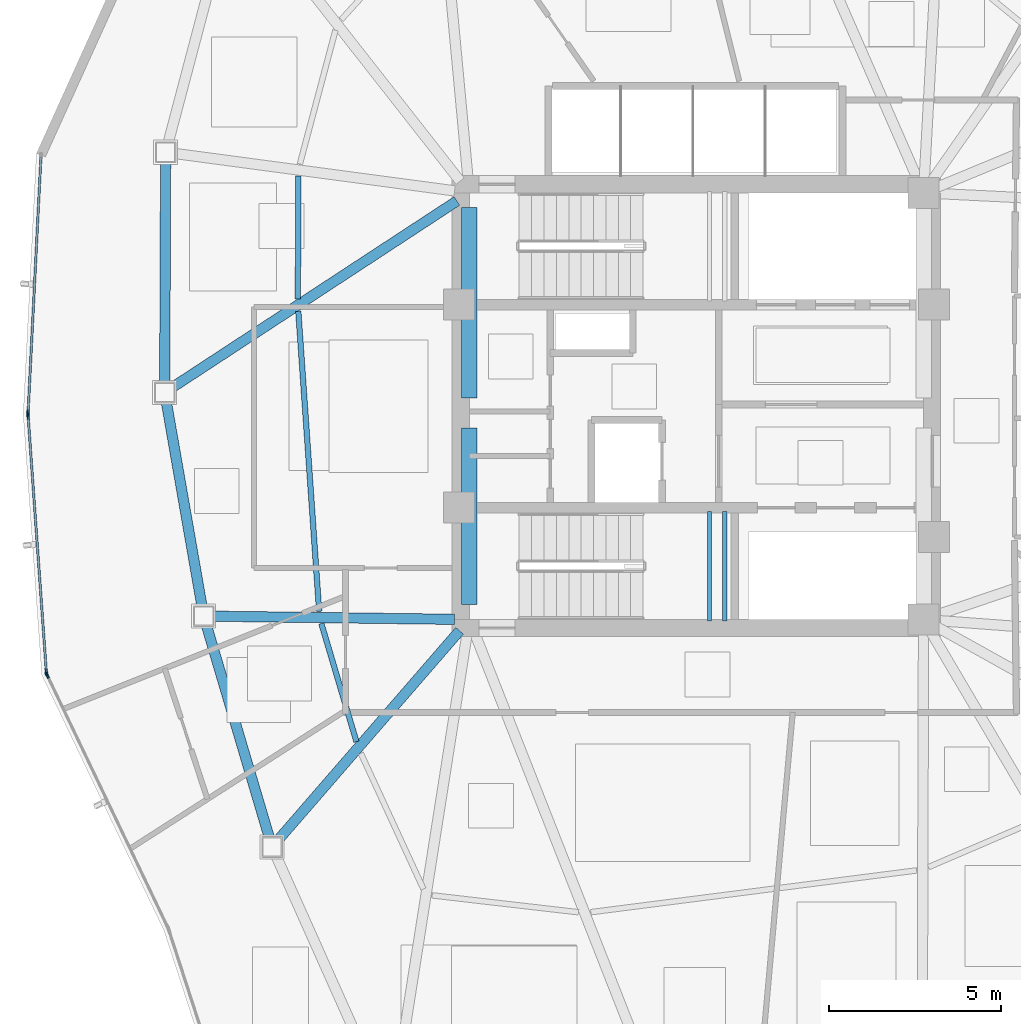
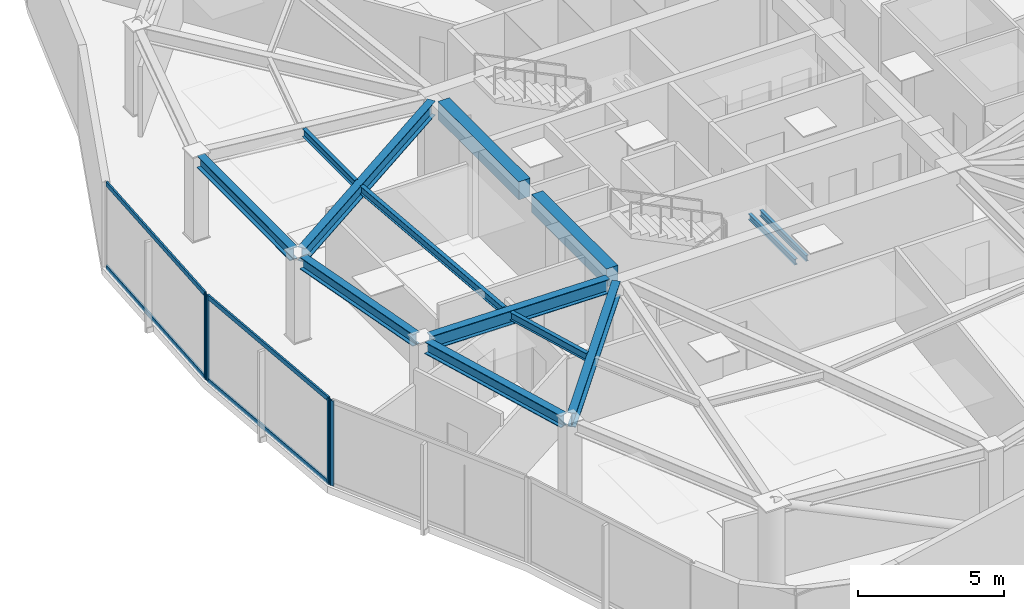
# One storey, part 4 of 17: 13 beams, 8 members, 3 elements without a shape of their own.
"""IFC4 building model written with IfcOpenShell, lengths in metres."""

import ifcopenshell
import ifcopenshell.guid

model = None  # the IFC model being written
_history = None  # IfcOwnerHistory: only IFC2X3 demands one
_inside = {}  # id of a spatial element -> (the spatial element, [elements in it])
_under = {}  # id of a project, library or spatial element -> (it, [spatial elements below it])
_declared = {}  # id of a project -> (the project, [libraries it declares])
_typed = {}  # id of a type object -> (the type object, [elements of that type])
_made_of = {}  # id of a material, layer set ... -> (it, [elements and type objects made of it])


def new_model(schema):
    """Start an empty IFC model of exactly this schema.

    Asked for "IFC4X3", IfcOpenShell would pick the latest addendum, in which some entities
    have other attributes; the version numbers below select the first issue.
    IFC2X3 requires an IfcOwnerHistory on every rooted entity: one is made here for all.
    """
    global model, _history
    if schema == "IFC4X3":
        model = ifcopenshell.file(schema_version=(4, 3, 0, 0))
    else:
        model = ifcopenshell.file(schema=schema)
    _inside.clear()
    _under.clear()
    _declared.clear()
    _typed.clear()
    _made_of.clear()
    _history = None
    if model.schema == "IFC2X3":
        org = make("IfcOrganization", Name="unknown")
        user = make(
            "IfcPersonAndOrganization",
            ThePerson=make("IfcPerson", FamilyName="unknown"),
            TheOrganization=org,
        )
        app = make(
            "IfcApplication",
            ApplicationDeveloper=org,
            Version="unknown",
            ApplicationFullName="unknown",
            ApplicationIdentifier="unknown",
        )
        _history = make(
            "IfcOwnerHistory",
            OwningUser=user,
            OwningApplication=app,
            ChangeAction="ADDED",
            CreationDate=0,
        )
    return model


def make(cls, **values):
    """One entity of the class cls with the attributes given. An attribute that is None is left unset."""
    return model.create_entity(
        cls, **{name: value for name, value in values.items() if value is not None}
    )


def rooted(cls, **values):
    """An entity with a GlobalId (a new one), such as an element, a storey or a relation."""
    return make(cls, GlobalId=ifcopenshell.guid.new(), OwnerHistory=_history, **values)


def si_unit(unit_type, name, prefix=None):
    """IfcSIUnit, for example si_unit("LENGTHUNIT", "METRE", prefix="MILLI")."""
    return make("IfcSIUnit", UnitType=unit_type, Prefix=prefix, Name=name)


def assignment(units):
    """IfcUnitAssignment: the units of a project."""
    return None if units is None else make("IfcUnitAssignment", Units=units)


def point(xyz):
    """IfcCartesianPoint."""
    return None if xyz is None else make("IfcCartesianPoint", Coordinates=xyz)


def direction(xyz):
    """IfcDirection."""
    return None if xyz is None else make("IfcDirection", DirectionRatios=xyz)


def frame(location, z_axis=None, x_axis=None):
    """IfcAxis2Placement3D, a coordinate frame: its origin and axes. An axis left out is left unset."""
    return make(
        "IfcAxis2Placement3D",
        Location=point(location),
        Axis=direction(z_axis),
        RefDirection=direction(x_axis),
    )


def frame_2d(location, x_axis=None):
    """IfcAxis2Placement2D, a coordinate frame in the plane: its origin and x axis."""
    return make(
        "IfcAxis2Placement2D", Location=point(location), RefDirection=direction(x_axis)
    )


def origin():
    """The frame at (0, 0, 0) with its axes left unset."""
    return frame((0.0, 0.0, 0.0))


def origin_2d():
    """The frame at (0, 0) in the plane with its x axis left unset."""
    return frame_2d((0.0, 0.0))


def place(relative_to, where):
    """IfcLocalPlacement: puts the frame where relative to a parent placement (None: the world)."""
    return make(
        "IfcLocalPlacement", PlacementRelTo=relative_to, RelativePlacement=where
    )


def context(
    kind, dimensions, precision=None, world=None, true_north=None, identifier=None
):
    """IfcGeometricRepresentationContext, for example the 3D "Model" context."""
    return make(
        "IfcGeometricRepresentationContext",
        ContextIdentifier=identifier,
        ContextType=kind,
        CoordinateSpaceDimension=dimensions,
        Precision=precision,
        WorldCoordinateSystem=world,
        TrueNorth=true_north,
    )


def subcontext(parent, identifier, kind, view, scale=None):
    """IfcGeometricRepresentationSubContext, for example "Body" below "Model"."""
    return make(
        "IfcGeometricRepresentationSubContext",
        ContextIdentifier=identifier,
        ContextType=kind,
        ParentContext=parent,
        TargetScale=scale,
        TargetView=view,
    )


def project(units=None, contexts=None):
    """IfcProject with its units and contexts."""
    return rooted(
        "IfcProject",
        Name="project",
        RepresentationContexts=contexts,
        UnitsInContext=assignment(units),
    )


def spatial(cls, under=None, at=None, **own):
    """A site, building, storey or space (cls), placed at a placement, below another one or the project."""
    s = rooted(cls, ObjectPlacement=at, **own)
    if under is not None:
        _under.setdefault(under.id(), (under, []))[1].append(s)
    return s


def profile(cls, at=None, kind="AREA", **sizes):
    """A parametric profile (cls). Its sizes go by their IFC names, for example OverallWidth=200.0."""
    return make(cls, ProfileType=kind, Position=at, **sizes)


def rectangle(**sizes):
    """IfcRectangleProfileDef."""
    return profile("IfcRectangleProfileDef", **sizes)


def hollow_rectangle(**sizes):
    """IfcRectangleHollowProfileDef."""
    return profile("IfcRectangleHollowProfileDef", **sizes)


def i_section(**sizes):
    """IfcIShapeProfileDef."""
    return profile("IfcIShapeProfileDef", **sizes)


def extrude(swept, where, along, depth):
    """IfcExtrudedAreaSolid: the profile swept, set in the frame where, extruded along a direction by depth."""
    return make(
        "IfcExtrudedAreaSolid",
        SweptArea=swept,
        Position=where,
        ExtrudedDirection=direction(along),
        Depth=depth,
    )


def shape(context_of_items, identifier, shape_type, items):
    """IfcShapeRepresentation: the items that make up one representation, for example the "Body"."""
    return make(
        "IfcShapeRepresentation",
        ContextOfItems=context_of_items,
        RepresentationIdentifier=identifier,
        RepresentationType=shape_type,
        Items=items,
    )


def source(mapping_origin, context_of_items, identifier, shape_type, items):
    """IfcRepresentationMap: a shape defined once, which mapped items show again and again."""
    return make(
        "IfcRepresentationMap",
        MappingOrigin=mapping_origin,
        MappedRepresentation=shape(context_of_items, identifier, shape_type, items),
    )


def transform(
    local_origin,
    x_axis=None,
    y_axis=None,
    z_axis=None,
    scale=None,
    scale2=None,
    scale3=None,
    uniform=True,
):
    """IfcCartesianTransformationOperator3D, or its non-uniform kind. x_axis, y_axis, z_axis: its Axis1, 2, 3."""
    if uniform:
        return make(
            "IfcCartesianTransformationOperator3D",
            Axis1=direction(x_axis),
            Axis2=direction(y_axis),
            LocalOrigin=point(local_origin),
            Scale=scale,
            Axis3=direction(z_axis),
        )
    return make(
        "IfcCartesianTransformationOperator3DnonUniform",
        Axis1=direction(x_axis),
        Axis2=direction(y_axis),
        LocalOrigin=point(local_origin),
        Scale=scale,
        Axis3=direction(z_axis),
        Scale2=scale2,
        Scale3=scale3,
    )


def mapped(mapping_source, mapping_target):
    """IfcMappedItem: shows the shape of a source again, moved by a transform."""
    return make(
        "IfcMappedItem", MappingSource=mapping_source, MappingTarget=mapping_target
    )


def material(Name=None, Category=None):
    """IfcMaterial."""
    return make("IfcMaterial", Name=Name, Category=Category)


def layer(
    of_material, thickness, ventilated=None, Name=None, Category=None, Priority=None
):
    """IfcMaterialLayer: one layer of a wall or slab, of a material (None: an air gap)."""
    return make(
        "IfcMaterialLayer",
        Material=of_material,
        LayerThickness=thickness,
        IsVentilated=ventilated,
        Name=Name,
        Category=Category,
        Priority=Priority,
    )


def layer_set(layers, Name=None):
    """IfcMaterialLayerSet."""
    return make("IfcMaterialLayerSet", MaterialLayers=layers, LayerSetName=Name)


def material_profile(
    of_material, cross_section, Name=None, Category=None, Priority=None
):
    """IfcMaterialProfile: a cross section and its material."""
    return make(
        "IfcMaterialProfile",
        Name=Name,
        Material=of_material,
        Profile=cross_section,
        Priority=Priority,
        Category=Category,
    )


def profile_set(profiles, Name=None, composite=None):
    """IfcMaterialProfileSet."""
    return make(
        "IfcMaterialProfileSet",
        Name=Name,
        MaterialProfiles=profiles,
        CompositeProfile=composite,
    )


def made_of(thing, what):
    """Note that an element or type object is made of a material, layer set ...; save() writes the relation."""
    if what is not None:
        _made_of.setdefault(what.id(), (what, []))[1].append(thing)
    return thing


def type_object(cls, material=None, **own):
    """A type object (cls), such as IfcWallType, which elements share."""
    return made_of(rooted(cls, **own), material)


def type_shapes(of_type, sources):
    """Give a type object the sources (RepresentationMaps) that its elements show as mapped items."""
    of_type.RepresentationMaps = sources


def element(
    cls,
    number,
    at=None,
    inside=None,
    cuts=None,
    type_object=None,
    material=None,
    context=None,
    identifier="Body",
    shape_type=None,
    held_by="IfcProductDefinitionShape",
    body=None,
    shapes=None,
    **own,
):
    """One element of the class cls, such as IfcWall. Its Tag is "e" and its number.

    at: its placement. inside: the storey or other place that contains it. cuts: it is an
    opening in that element (IfcRelVoidsElement). A single representation is given by context,
    identifier, shape_type and body (its items); several are given by shapes. held_by: the class
    of the entity that holds the representations. save() writes the other relations.
    """
    e = rooted(cls, Tag="e%d" % number, ObjectPlacement=at, **own)
    if body is not None:
        shapes = [shape(context, identifier, shape_type, body)]
    if shapes is not None:
        e.Representation = make(held_by, Representations=shapes)
    if inside is not None:
        _inside.setdefault(inside.id(), (inside, []))[1].append(e)
    if cuts is not None:
        rooted(
            "IfcRelVoidsElement", RelatingBuildingElement=cuts, RelatedOpeningElement=e
        )
    if type_object is not None:
        _typed.setdefault(type_object.id(), (type_object, []))[1].append(e)
    return made_of(e, material)


def aggregate(whole, parts):
    """IfcRelAggregates: a whole, such as a stair, and the parts it consists of."""
    return rooted("IfcRelAggregates", RelatingObject=whole, RelatedObjects=parts)


def save(model, path):
    """Write the relations noted so far, then the file.

    IfcRelAggregates (storeys below a building ...), IfcRelContainedInSpatialStructure (elements
    in a storey), IfcRelDefinesByType, IfcRelAssociatesMaterial and IfcRelDeclares: one each for
    every whole, place, type object, material and project.
    """
    for whole, parts in _under.values():
        aggregate(whole, parts)
    for where, things in _inside.values():
        rooted(
            "IfcRelContainedInSpatialStructure",
            RelatedElements=things,
            RelatingStructure=where,
        )
    for kind, things in _typed.values():
        rooted("IfcRelDefinesByType", RelatedObjects=things, RelatingType=kind)
    for what, things in _made_of.values():
        rooted("IfcRelAssociatesMaterial", RelatedObjects=things, RelatingMaterial=what)
    for by, libraries in _declared.values():
        rooted("IfcRelDeclares", RelatingContext=by, RelatedDefinitions=libraries)
    model.write(path)


model = new_model("IFC4")

# Units and contexts
model_context = context("Model", 3, precision=1e-05, world=origin(), true_north=direction((0.0, 1.0)))
body_context = subcontext(model_context, "Body", "Model", "MODEL_VIEW")
ifc_project = project(units=[si_unit("LENGTHUNIT", "METRE"), si_unit("AREAUNIT", "SQUARE_METRE"), si_unit("VOLUMEUNIT", "CUBIC_METRE"), si_unit("PLANEANGLEUNIT", "RADIAN"), si_unit("MASSUNIT", "GRAM", prefix="KILO")], contexts=[model_context])

# Site, building, storey
site_placement = place(None, origin())
site = spatial("IfcSite", under=ifc_project, at=site_placement, CompositionType="ELEMENT")
building_placement = place(site_placement, origin())
building = spatial("IfcBuilding", under=site, at=building_placement, Name="Tavelor Broadcast Tower", CompositionType="ELEMENT")
storey_placement = place(building_placement, frame((0.0, 0.0, 161.800048828125)))
storey = spatial("IfcBuildingStorey", under=building, at=storey_placement, Name="L38", CompositionType="ELEMENT", Elevation=161.800048828125)

# Beams
ifc_material_1 = material(Name="Concrete C40/50", Category="concrete")
ifc_material_profile_1 = material_profile(ifc_material_1, rectangle(XDim=0.449951171875, YDim=0.75, at=origin_2d()), Name="RC 450x750")
ifc_profile_set_1 = profile_set([ifc_material_profile_1], Name="Concrete C40/50")
beam_type_1 = type_object("IfcBeamType", Name="Basement Core Trim Beam 450x750", PredefinedType="BEAM", material=ifc_profile_set_1)
beam_1_placement = place(storey_placement, frame((43.39990234375, 45.23193359375, 3.175048828125), z_axis=(0.0, 1.0, 0.0), x_axis=(-1.0, 0.0, 0.0)))
element("IfcBeam", 1, at=beam_1_placement, inside=storey, type_object=beam_type_1, Name="L38 Core West-N Tie Girder", PredefinedType="BEAM", context=body_context, shape_type="SweptSolid", body=[
    extrude(rectangle(XDim=0.449951171875, YDim=0.75, at=origin_2d()), origin(), (0.0, 0.0, 1.0), 5.5361328125),
])
beam_2_placement = place(storey_placement, frame((43.39990234375, 39.23193359375, 3.175048828125), z_axis=(0.0, 1.0, 0.0), x_axis=(-1.0, 0.0, 0.0)))
element("IfcBeam", 2, at=beam_2_placement, inside=storey, type_object=beam_type_1, Name="L38 Core West-S Tie Girder", PredefinedType="BEAM", context=body_context, shape_type="SweptSolid", body=[
    extrude(rectangle(XDim=0.449951171875, YDim=0.75, at=origin_2d()), origin(), (0.0, 0.0, 1.0), 5.135986328125),
])
ifc_material_2 = material(Name="Steel S355", Category="steel")
ifc_material_profile_2 = material_profile(ifc_material_2, i_section(OverallWidth=0.159912109375, OverallDepth=0.330078125, WebThickness=0.007568359375, FlangeThickness=0.011474609375, at=origin_2d()), Name="IPE 330")
ifc_profile_set_2 = profile_set([ifc_material_profile_2], Name="Steel S355")
beam_type_2 = type_object("IfcBeamType", Name="Composite Floor Joist T4 IPE 330", PredefinedType="JOIST", material=ifc_profile_set_2)
beam_3_placement = place(storey_placement, frame((38.428955078125, 51.68310546875, 3.385009765625), z_axis=(-0.002943579799, -0.99999566766, 0.0), x_axis=(0.99999566766, -0.002943579799, 0.0)))
element("IfcBeam", 3, at=beam_3_placement, inside=storey, type_object=beam_type_2, Name="L38 Secondary Composite Floor Joist 03", PredefinedType="JOIST", context=body_context, shape_type="SweptSolid", body=[
    extrude(i_section(OverallWidth=0.159912109375, OverallDepth=0.330078125, WebThickness=0.007568359375, FlangeThickness=0.011474609375, at=origin_2d()), origin(), (0.0, 0.0, 1.0), 3.56640625),
])
beam_4_placement = place(storey_placement, frame((38.430419921875, 47.755126953125, 3.385009765625), z_axis=(0.069281460066, -0.997597152808, 0.0), x_axis=(0.997597152808, 0.069281460066, 0.0)))
element("IfcBeam", 4, at=beam_4_placement, inside=storey, type_object=beam_type_2, Name="L38 Secondary Composite Floor Joist 04", PredefinedType="JOIST", context=body_context, shape_type="SweptSolid", body=[
    extrude(i_section(OverallWidth=0.159912109375, OverallDepth=0.330078125, WebThickness=0.007568359375, FlangeThickness=0.011474609375, at=origin_2d()), origin(), (0.0, 0.0, 1.0), 8.7392578125),
])
beam_5_placement = place(storey_placement, frame((39.10009765625, 38.682861328125, 3.385009765625), z_axis=(0.284738295298, -0.958605290613, 0.0), x_axis=(0.958605290613, 0.284738295298, 0.0)))
element("IfcBeam", 5, at=beam_5_placement, inside=storey, type_object=beam_type_2, Name="L38 Secondary Composite Floor Joist 05", PredefinedType="JOIST", context=body_context, shape_type="SweptSolid", body=[
    extrude(i_section(OverallWidth=0.159912109375, OverallDepth=0.330078125, WebThickness=0.007568359375, FlangeThickness=0.011474609375, at=origin_2d()), origin(), (0.0, 0.0, 1.0), 3.58056640625),
])
ifc_material_profile_3 = material_profile(ifc_material_2, i_section(OverallWidth=0.300048828125, OverallDepth=0.5, WebThickness=0.014404296875, FlangeThickness=0.028076171875, at=origin_2d()), Name="HEB 500")
ifc_profile_set_3 = profile_set([ifc_material_profile_3], Name="Steel S355")
beam_type_3 = type_object("IfcBeamType", Name="Perimeter Spandrel Beam T4 HEB 500", PredefinedType="SPANDREL", material=ifc_profile_set_3)
beam_6_placement = place(storey_placement, frame((34.573974609375, 52.09130859375, 3.300048828125), z_axis=(-0.004117073981, -0.999991524815, 0.0), x_axis=(0.999991524815, -0.004117073981, 0.0)))
element("IfcBeam", 6, at=beam_6_placement, inside=storey, type_object=beam_type_3, Name="L38 Framed-Tube Ring Spandrel 03", PredefinedType="SPANDREL", context=body_context, shape_type="SweptSolid", body=[
    extrude(i_section(OverallWidth=0.300048828125, OverallDepth=0.5, WebThickness=0.014404296875, FlangeThickness=0.028076171875, at=origin_2d()), origin(), (0.0, 0.0, 1.0), 6.404296875),
])
beam_7_placement = place(storey_placement, frame((34.595947265625, 45.115478515625, 3.300048828125), z_axis=(0.171987908601, -0.985099060651, 0.0), x_axis=(0.985099060651, 0.171987908601, 0.0)))
element("IfcBeam", 7, at=beam_7_placement, inside=storey, type_object=beam_type_3, Name="L38 Framed-Tube Ring Spandrel 04", PredefinedType="SPANDREL", context=body_context, shape_type="SweptSolid", body=[
    extrude(i_section(OverallWidth=0.300048828125, OverallDepth=0.5, WebThickness=0.014404296875, FlangeThickness=0.028076171875, at=origin_2d()), origin(), (0.0, 0.0, 1.0), 6.021728515625),
])
beam_8_placement = place(storey_placement, frame((35.7626953125, 38.623779296875, 3.300048828125), z_axis=(0.283962764381, -0.958835308301, 0.0), x_axis=(0.958835308301, 0.283962764381, 0.0)))
element("IfcBeam", 8, at=beam_8_placement, inside=storey, type_object=beam_type_3, Name="L38 Framed-Tube Ring Spandrel 05", PredefinedType="SPANDREL", context=body_context, shape_type="SweptSolid", body=[
    extrude(i_section(OverallWidth=0.300048828125, OverallDepth=0.5, WebThickness=0.014404296875, FlangeThickness=0.028076171875, at=origin_2d()), origin(), (0.0, 0.0, 1.0), 6.421630859375),
])
ifc_material_profile_4 = material_profile(ifc_material_2, i_section(OverallWidth=0.300048828125, OverallDepth=0.590087890625, WebThickness=0.012939453125, FlangeThickness=0.02490234375, at=origin_2d()), Name="HEA 600")
ifc_profile_set_4 = profile_set([ifc_material_profile_4], Name="Steel S355")
beam_type_4 = type_object("IfcBeamType", Name="Radial Floor Girder T4 HEA 600", PredefinedType="BEAM", material=ifc_profile_set_4)
beam_9_placement = place(storey_placement, frame((43.038818359375, 50.963134765625, 3.2548828125), z_axis=(-0.83645565271, -0.548034616652, 0.0), x_axis=(0.548034616652, -0.83645565271, 0.0)))
element("IfcBeam", 9, at=beam_9_placement, inside=storey, type_object=beam_type_4, Name="L38 Radial Primary Floor Girder 04", PredefinedType="BEAM", context=body_context, shape_type="SweptSolid", body=[
    extrude(i_section(OverallWidth=0.300048828125, OverallDepth=0.590087890625, WebThickness=0.012939453125, FlangeThickness=0.02490234375, at=origin_2d()), origin(), (0.0, 0.0, 1.0), 9.86474609375),
])
beam_10_placement = place(storey_placement, frame((42.968017578125, 38.8056640625, 3.2548828125), z_axis=(-0.99991627243, 0.012940175006, 0.0), x_axis=(-0.012940175006, -0.99991627243, 0.0)))
element("IfcBeam", 10, at=beam_10_placement, inside=storey, type_object=beam_type_4, Name="L38 Radial Primary Floor Girder 05", PredefinedType="BEAM", context=body_context, shape_type="SweptSolid", body=[
    extrude(i_section(OverallWidth=0.300048828125, OverallDepth=0.590087890625, WebThickness=0.012939453125, FlangeThickness=0.02490234375, at=origin_2d()), origin(), (0.0, 0.0, 1.0), 6.99951171875),
])
beam_11_placement = place(storey_placement, frame((43.116943359375, 38.4736328125, 3.2548828125), z_axis=(-0.655167826376, -0.755483367972, 0.0), x_axis=(0.755483367972, -0.655167826376, 0.0)))
element("IfcBeam", 11, at=beam_11_placement, inside=storey, type_object=beam_type_4, Name="L38 Radial Primary Floor Girder 06", PredefinedType="BEAM", context=body_context, shape_type="SweptSolid", body=[
    extrude(i_section(OverallWidth=0.300048828125, OverallDepth=0.590087890625, WebThickness=0.012939453125, FlangeThickness=0.02490234375, at=origin_2d()), origin(), (0.0, 0.0, 1.0), 8.02880859375),
])
ifc_material_profile_5 = material_profile(ifc_material_2, i_section(OverallWidth=0.1201171875, OverallDepth=0.239990234375, WebThickness=0.006103515625, FlangeThickness=0.009765625, at=origin_2d()), Name="IPE 240")
ifc_profile_set_5 = profile_set([ifc_material_profile_5], Name="Steel S355")
beam_type_5 = type_object("IfcBeamType", Name="Stairwell Landing Support Trimmer Beam IPE240", PredefinedType="BEAM", material=ifc_profile_set_5)
for number, where, z_axis, x_axis, name in (
    (12, (50.385009765625, 38.760009765625, 1.60986328125), (0.0, 1.0, 0.0), (-1.0, 0.0, 0.0), "L38 Stair Landing Support Beam 323"),
    (13, (50.824951171875, 38.760009765625, 1.60986328125), (0.0, 1.0, 0.0), (-1.0, 0.0, 0.0), "L38 Stair Landing Support Beam 324"),
):
    element("IfcBeam", number, at=place(storey_placement, frame(where, z_axis=z_axis, x_axis=x_axis)), inside=storey, type_object=beam_type_5, Name=name, PredefinedType="BEAM", context=body_context, shape_type="SweptSolid", body=[
        extrude(i_section(OverallWidth=0.1201171875, OverallDepth=0.239990234375, WebThickness=0.006103515625, FlangeThickness=0.009765625, at=origin_2d()), origin(), (0.0, 0.0, 1.0), 3.179931640625),
    ])

# Curtain wall, member
ifc_material_3 = material(Name="Architectural Anodized Aluminium", Category="aluminium")
ifc_layer = layer(ifc_material_3, 0.18994140625)
ifc_layer_set = layer_set([ifc_layer], Name="Architectural Anodized Aluminium")
curtain_wall_type = type_object("IfcCurtainWallType", Name="Tower Mid-Zone Acoustic Curtain Wall CW03", PredefinedType="NOTDEFINED", material=ifc_layer_set)
curtain_wall_1_placement = place(storey_placement, origin())
curtain_wall_1 = element("IfcCurtainWall", 14, at=curtain_wall_1_placement, inside=storey, type_object=curtain_wall_type, Name="L38 Curtain Wall CW03 Run 397", PredefinedType="NOTDEFINED")
ifc_material_profile_6 = material_profile(ifc_material_3, hollow_rectangle(XDim=0.068115234375, YDim=0.18994140625, WallThickness=0.02197265625, at=origin_2d()), Name="RHS 68x190x22")
ifc_profile_set_6 = profile_set([ifc_material_profile_6], Name="Architectural Anodized Aluminium")
member_type_1 = type_object("IfcMemberType", Name="CW03 Extruded Aluminium Mullion 68x190", PredefinedType="MULLION", material=ifc_profile_set_6)
shared_shape_1 = source(origin(), body_context, "Body", "SweptSolid", [
    extrude(hollow_rectangle(XDim=0.068115234375, YDim=0.18994140625, WallThickness=0.02197265625, at=origin_2d()), origin(), (0.0, 0.0, 1.0), 3.550048828125),
])
type_shapes(member_type_1, [shared_shape_1])
member_1_placement = place(storey_placement, frame((30.576904296875, 44.807861328125, 0.0), z_axis=(0.0, 0.0, 1.0), x_axis=(0.998741000946, -0.05016386179, 0.0)))
member_1 = element("IfcMember", 15, at=member_1_placement, type_object=member_type_1, Name="CW03 mullion 2", PredefinedType="MULLION", context=body_context, shape_type="MappedRepresentation", body=[
    mapped(shared_shape_1, transform((0.0, 0.0, 0.0), scale=1.0)),
])

# Curtain wall, members
curtain_wall_2_placement = place(storey_placement, origin())
curtain_wall_2 = element("IfcCurtainWall", 16, at=curtain_wall_2_placement, inside=storey, type_object=curtain_wall_type, Name="L38 Curtain Wall CW03 Run 398", PredefinedType="NOTDEFINED")
member_2_placement = place(storey_placement, frame((30.577880859375, 44.7099609375, 0.0), z_axis=(0.0, 0.0, 1.0), x_axis=(0.997471703899, 0.071064758639, 0.0)))
member_2 = element("IfcMember", 17, at=member_2_placement, type_object=member_type_1, Name="CW03 mullion 1", PredefinedType="MULLION", context=body_context, shape_type="MappedRepresentation", body=[
    mapped(shared_shape_1, transform((0.0, 0.0, 0.0), scale=1.0)),
])
member_3_placement = place(storey_placement, frame((31.107666015625, 37.272705078125, 0.0), z_axis=(0.0, 0.0, 1.0), x_axis=(0.997471703899, 0.071064758639, 0.0)))
member_3 = element("IfcMember", 18, at=member_3_placement, type_object=member_type_1, Name="CW03 mullion 2", PredefinedType="MULLION", context=body_context, shape_type="MappedRepresentation", body=[
    mapped(shared_shape_1, transform((0.0, 0.0, 0.0), scale=1.0)),
])

# Curtain wall, member
curtain_wall_3_placement = place(storey_placement, origin())
curtain_wall_3 = element("IfcCurtainWall", 19, at=curtain_wall_3_placement, inside=storey, type_object=curtain_wall_type, Name="L38 Curtain Wall CW03 Run 399", PredefinedType="NOTDEFINED")
member_4_placement = place(storey_placement, frame((31.13232421875, 37.1796875, 0.0), z_axis=(0.0, 0.0, 1.0), x_axis=(0.902173087206, 0.431374223524, 0.0)))
member_4 = element("IfcMember", 20, at=member_4_placement, type_object=member_type_1, Name="CW03 mullion 1", PredefinedType="MULLION", context=body_context, shape_type="MappedRepresentation", body=[
    mapped(shared_shape_1, transform((0.0, 0.0, 0.0), scale=1.0)),
])
aggregate(curtain_wall_3, [member_4])

# Member
ifc_material_profile_7 = material_profile(ifc_material_3, hollow_rectangle(XDim=0.068115234375, YDim=0.18994140625, WallThickness=0.02197265625, at=origin_2d()), Name="RHS 68x190x22")
ifc_profile_set_7 = profile_set([ifc_material_profile_7], Name="Architectural Anodized Aluminium")
member_type_2 = type_object("IfcMemberType", Name="CW03 Extruded Aluminium Transom 68x190", PredefinedType="USERDEFINED", material=ifc_profile_set_7)
shared_shape_2 = source(origin(), body_context, "Body", "SweptSolid", [
    extrude(hollow_rectangle(XDim=0.068115234375, YDim=0.18994140625, WallThickness=0.02197265625, at=origin_2d()), origin(), (0.0, 0.0, 1.0), 7.403076171875),
])
member_5_placement = place(storey_placement, frame((30.949951171875, 52.235595703125, 0.033935546875), z_axis=(-0.050159662646, -0.998741211848, 0.0), x_axis=(0.998741211848, -0.050159662646, 0.0)))
member_5 = element("IfcMember", 21, at=member_5_placement, type_object=member_type_2, Name="CW03 transom 1.1", ObjectType="TRANSOM", PredefinedType="USERDEFINED", context=body_context, shape_type="MappedRepresentation", body=[
    mapped(shared_shape_2, transform((0.0, 0.0, 0.0), scale=1.0)),
])

member_6_placement = place(storey_placement, frame((30.949951171875, 52.235595703125, 3.515869140625), z_axis=(-0.050159662646, -0.998741211848, 0.0), x_axis=(0.998741211848, -0.050159662646, 0.0)))
member_6 = element("IfcMember", 22, at=member_6_placement, type_object=member_type_2, Name="CW03 transom 1.2", ObjectType="TRANSOM", PredefinedType="USERDEFINED", context=body_context, shape_type="MappedRepresentation", body=[
    mapped(shared_shape_2, transform((0.0, 0.0, 0.0), scale=1.0)),
])

aggregate(curtain_wall_1, [member_1, member_5, member_6])

shared_shape_3 = source(origin(), body_context, "Body", "SweptSolid", [
    extrude(hollow_rectangle(XDim=0.068115234375, YDim=0.18994140625, WallThickness=0.02197265625, at=origin_2d()), origin(), (0.0, 0.0, 1.0), 7.38818359375),
])
type_shapes(member_type_2, [shared_shape_2, shared_shape_3])
member_7_placement = place(storey_placement, frame((30.580322265625, 44.676025390625, 0.033935546875), z_axis=(0.071080313107, -0.997470595601, 0.0), x_axis=(0.997470595601, 0.071080313107, 0.0)))
member_7 = element("IfcMember", 23, at=member_7_placement, type_object=member_type_2, Name="CW03 transom 1.1", ObjectType="TRANSOM", PredefinedType="USERDEFINED", context=body_context, shape_type="MappedRepresentation", body=[
    mapped(shared_shape_3, transform((0.0, 0.0, 0.0), scale=1.0)),
])

member_8_placement = place(storey_placement, frame((30.580322265625, 44.676025390625, 3.515869140625), z_axis=(0.071080313107, -0.997470595601, 0.0), x_axis=(0.997470595601, 0.071080313107, 0.0)))
member_8 = element("IfcMember", 24, at=member_8_placement, type_object=member_type_2, Name="CW03 transom 1.2", ObjectType="TRANSOM", PredefinedType="USERDEFINED", context=body_context, shape_type="MappedRepresentation", body=[
    mapped(shared_shape_3, transform((0.0, 0.0, 0.0), scale=1.0)),
])

aggregate(curtain_wall_2, [member_2, member_3, member_7, member_8])

save(model, "model.ifc")
